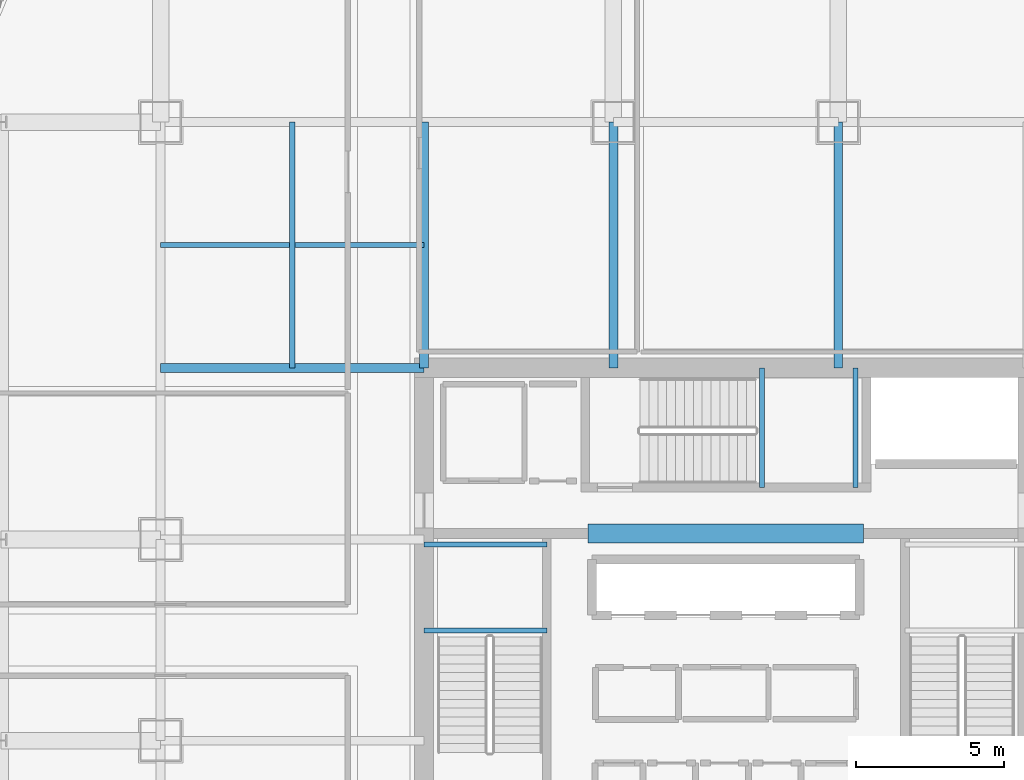
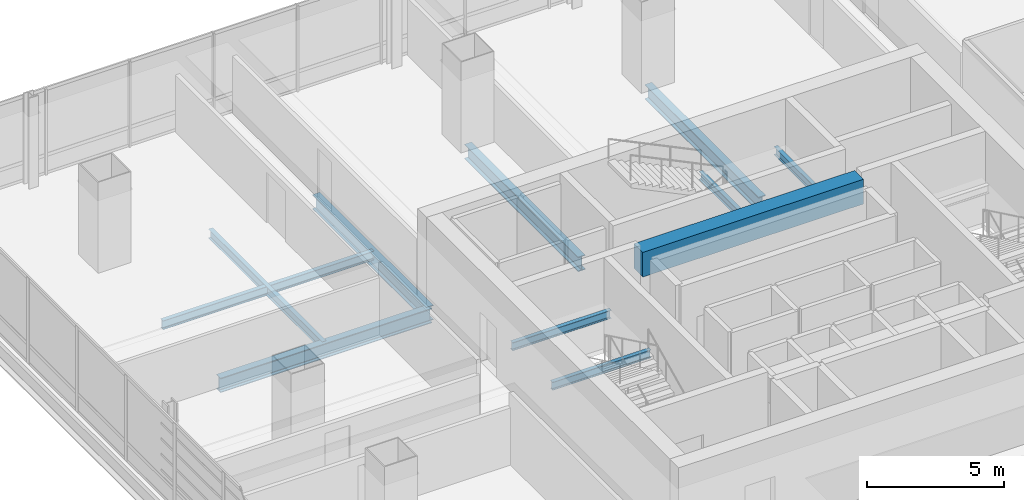
# One storey, part 13 of 38: 11 beams.
"""IFC4 building model written with IfcOpenShell, lengths in metres."""

import ifcopenshell
import ifcopenshell.guid

model = None  # the IFC model being written
_history = None  # IfcOwnerHistory: only IFC2X3 demands one
_inside = {}  # id of a spatial element -> (the spatial element, [elements in it])
_under = {}  # id of a project, library or spatial element -> (it, [spatial elements below it])
_declared = {}  # id of a project -> (the project, [libraries it declares])
_typed = {}  # id of a type object -> (the type object, [elements of that type])
_made_of = {}  # id of a material, layer set ... -> (it, [elements and type objects made of it])


def new_model(schema):
    """Start an empty IFC model of exactly this schema.

    Asked for "IFC4X3", IfcOpenShell would pick the latest addendum, in which some entities
    have other attributes; the version numbers below select the first issue.
    IFC2X3 requires an IfcOwnerHistory on every rooted entity: one is made here for all.
    """
    global model, _history
    if schema == "IFC4X3":
        model = ifcopenshell.file(schema_version=(4, 3, 0, 0))
    else:
        model = ifcopenshell.file(schema=schema)
    _inside.clear()
    _under.clear()
    _declared.clear()
    _typed.clear()
    _made_of.clear()
    _history = None
    if model.schema == "IFC2X3":
        org = make("IfcOrganization", Name="unknown")
        user = make(
            "IfcPersonAndOrganization",
            ThePerson=make("IfcPerson", FamilyName="unknown"),
            TheOrganization=org,
        )
        app = make(
            "IfcApplication",
            ApplicationDeveloper=org,
            Version="unknown",
            ApplicationFullName="unknown",
            ApplicationIdentifier="unknown",
        )
        _history = make(
            "IfcOwnerHistory",
            OwningUser=user,
            OwningApplication=app,
            ChangeAction="ADDED",
            CreationDate=0,
        )
    return model


def make(cls, **values):
    """One entity of the class cls with the attributes given. An attribute that is None is left unset."""
    return model.create_entity(
        cls, **{name: value for name, value in values.items() if value is not None}
    )


def rooted(cls, **values):
    """An entity with a GlobalId (a new one), such as an element, a storey or a relation."""
    return make(cls, GlobalId=ifcopenshell.guid.new(), OwnerHistory=_history, **values)


def si_unit(unit_type, name, prefix=None):
    """IfcSIUnit, for example si_unit("LENGTHUNIT", "METRE", prefix="MILLI")."""
    return make("IfcSIUnit", UnitType=unit_type, Prefix=prefix, Name=name)


def assignment(units):
    """IfcUnitAssignment: the units of a project."""
    return None if units is None else make("IfcUnitAssignment", Units=units)


def point(xyz):
    """IfcCartesianPoint."""
    return None if xyz is None else make("IfcCartesianPoint", Coordinates=xyz)


def direction(xyz):
    """IfcDirection."""
    return None if xyz is None else make("IfcDirection", DirectionRatios=xyz)


def frame(location, z_axis=None, x_axis=None):
    """IfcAxis2Placement3D, a coordinate frame: its origin and axes. An axis left out is left unset."""
    return make(
        "IfcAxis2Placement3D",
        Location=point(location),
        Axis=direction(z_axis),
        RefDirection=direction(x_axis),
    )


def frame_2d(location, x_axis=None):
    """IfcAxis2Placement2D, a coordinate frame in the plane: its origin and x axis."""
    return make(
        "IfcAxis2Placement2D", Location=point(location), RefDirection=direction(x_axis)
    )


def origin():
    """The frame at (0, 0, 0) with its axes left unset."""
    return frame((0.0, 0.0, 0.0))


def origin_2d():
    """The frame at (0, 0) in the plane with its x axis left unset."""
    return frame_2d((0.0, 0.0))


def place(relative_to, where):
    """IfcLocalPlacement: puts the frame where relative to a parent placement (None: the world)."""
    return make(
        "IfcLocalPlacement", PlacementRelTo=relative_to, RelativePlacement=where
    )


def context(
    kind, dimensions, precision=None, world=None, true_north=None, identifier=None
):
    """IfcGeometricRepresentationContext, for example the 3D "Model" context."""
    return make(
        "IfcGeometricRepresentationContext",
        ContextIdentifier=identifier,
        ContextType=kind,
        CoordinateSpaceDimension=dimensions,
        Precision=precision,
        WorldCoordinateSystem=world,
        TrueNorth=true_north,
    )


def subcontext(parent, identifier, kind, view, scale=None):
    """IfcGeometricRepresentationSubContext, for example "Body" below "Model"."""
    return make(
        "IfcGeometricRepresentationSubContext",
        ContextIdentifier=identifier,
        ContextType=kind,
        ParentContext=parent,
        TargetScale=scale,
        TargetView=view,
    )


def project(units=None, contexts=None):
    """IfcProject with its units and contexts."""
    return rooted(
        "IfcProject",
        Name="project",
        RepresentationContexts=contexts,
        UnitsInContext=assignment(units),
    )


def spatial(cls, under=None, at=None, **own):
    """A site, building, storey or space (cls), placed at a placement, below another one or the project."""
    s = rooted(cls, ObjectPlacement=at, **own)
    if under is not None:
        _under.setdefault(under.id(), (under, []))[1].append(s)
    return s


def profile(cls, at=None, kind="AREA", **sizes):
    """A parametric profile (cls). Its sizes go by their IFC names, for example OverallWidth=200.0."""
    return make(cls, ProfileType=kind, Position=at, **sizes)


def rectangle(**sizes):
    """IfcRectangleProfileDef."""
    return profile("IfcRectangleProfileDef", **sizes)


def i_section(**sizes):
    """IfcIShapeProfileDef."""
    return profile("IfcIShapeProfileDef", **sizes)


def extrude(swept, where, along, depth):
    """IfcExtrudedAreaSolid: the profile swept, set in the frame where, extruded along a direction by depth."""
    return make(
        "IfcExtrudedAreaSolid",
        SweptArea=swept,
        Position=where,
        ExtrudedDirection=direction(along),
        Depth=depth,
    )


def shape(context_of_items, identifier, shape_type, items):
    """IfcShapeRepresentation: the items that make up one representation, for example the "Body"."""
    return make(
        "IfcShapeRepresentation",
        ContextOfItems=context_of_items,
        RepresentationIdentifier=identifier,
        RepresentationType=shape_type,
        Items=items,
    )


def material(Name=None, Category=None):
    """IfcMaterial."""
    return make("IfcMaterial", Name=Name, Category=Category)


def material_profile(
    of_material, cross_section, Name=None, Category=None, Priority=None
):
    """IfcMaterialProfile: a cross section and its material."""
    return make(
        "IfcMaterialProfile",
        Name=Name,
        Material=of_material,
        Profile=cross_section,
        Priority=Priority,
        Category=Category,
    )


def profile_set(profiles, Name=None, composite=None):
    """IfcMaterialProfileSet."""
    return make(
        "IfcMaterialProfileSet",
        Name=Name,
        MaterialProfiles=profiles,
        CompositeProfile=composite,
    )


def made_of(thing, what):
    """Note that an element or type object is made of a material, layer set ...; save() writes the relation."""
    if what is not None:
        _made_of.setdefault(what.id(), (what, []))[1].append(thing)
    return thing


def type_object(cls, material=None, **own):
    """A type object (cls), such as IfcWallType, which elements share."""
    return made_of(rooted(cls, **own), material)


def element(
    cls,
    number,
    at=None,
    inside=None,
    cuts=None,
    type_object=None,
    material=None,
    context=None,
    identifier="Body",
    shape_type=None,
    held_by="IfcProductDefinitionShape",
    body=None,
    shapes=None,
    **own,
):
    """One element of the class cls, such as IfcWall. Its Tag is "e" and its number.

    at: its placement. inside: the storey or other place that contains it. cuts: it is an
    opening in that element (IfcRelVoidsElement). A single representation is given by context,
    identifier, shape_type and body (its items); several are given by shapes. held_by: the class
    of the entity that holds the representations. save() writes the other relations.
    """
    e = rooted(cls, Tag="e%d" % number, ObjectPlacement=at, **own)
    if body is not None:
        shapes = [shape(context, identifier, shape_type, body)]
    if shapes is not None:
        e.Representation = make(held_by, Representations=shapes)
    if inside is not None:
        _inside.setdefault(inside.id(), (inside, []))[1].append(e)
    if cuts is not None:
        rooted(
            "IfcRelVoidsElement", RelatingBuildingElement=cuts, RelatedOpeningElement=e
        )
    if type_object is not None:
        _typed.setdefault(type_object.id(), (type_object, []))[1].append(e)
    return made_of(e, material)


def aggregate(whole, parts):
    """IfcRelAggregates: a whole, such as a stair, and the parts it consists of."""
    return rooted("IfcRelAggregates", RelatingObject=whole, RelatedObjects=parts)


def save(model, path):
    """Write the relations noted so far, then the file.

    IfcRelAggregates (storeys below a building ...), IfcRelContainedInSpatialStructure (elements
    in a storey), IfcRelDefinesByType, IfcRelAssociatesMaterial and IfcRelDeclares: one each for
    every whole, place, type object, material and project.
    """
    for whole, parts in _under.values():
        aggregate(whole, parts)
    for where, things in _inside.values():
        rooted(
            "IfcRelContainedInSpatialStructure",
            RelatedElements=things,
            RelatingStructure=where,
        )
    for kind, things in _typed.values():
        rooted("IfcRelDefinesByType", RelatedObjects=things, RelatingType=kind)
    for what, things in _made_of.values():
        rooted("IfcRelAssociatesMaterial", RelatedObjects=things, RelatingMaterial=what)
    for by, libraries in _declared.values():
        rooted("IfcRelDeclares", RelatingContext=by, RelatedDefinitions=libraries)
    model.write(path)


model = new_model("IFC4")

# Units and contexts
model_context = context("Model", 3, precision=1e-05, world=origin(), true_north=direction((0.0, 1.0)))
body_context = subcontext(model_context, "Body", "Model", "MODEL_VIEW")
ifc_project = project(units=[si_unit("LENGTHUNIT", "METRE"), si_unit("AREAUNIT", "SQUARE_METRE"), si_unit("VOLUMEUNIT", "CUBIC_METRE"), si_unit("PLANEANGLEUNIT", "RADIAN"), si_unit("MASSUNIT", "GRAM", prefix="KILO")], contexts=[model_context])

# Site, building, storey
site_placement = place(None, origin())
site = spatial("IfcSite", under=ifc_project, at=site_placement, CompositionType="ELEMENT")
building_placement = place(site_placement, origin())
building = spatial("IfcBuilding", under=site, at=building_placement, Name="Punatoya Terracotta Tower", CompositionType="ELEMENT")
storey_placement = place(building_placement, frame((0.0, 0.0, 147.89990234375)))
storey = spatial("IfcBuildingStorey", under=building, at=storey_placement, Name="L34", CompositionType="ELEMENT", Elevation=147.89990234375)

# Beams
ifc_material_1 = material(Name="Steel S355", Category="steel")
ifc_material_profile_1 = material_profile(ifc_material_1, i_section(OverallWidth=0.300048828125, OverallDepth=0.64990234375, WebThickness=0.01611328125, FlangeThickness=0.031005859375, FilletRadius=0.01806640625, at=origin_2d()))
ifc_profile_set_1 = profile_set([ifc_material_profile_1], Name="Steel S355")
beam_type_1 = type_object("IfcBeamType", Name="BM-PRI-650", PredefinedType="BEAM", material=ifc_profile_set_1)
beam_1_placement = place(storey_placement, frame((-19.10009765625, 9.199951171875, -0.544921875), z_axis=(1.0, 0.0, 0.0), x_axis=(0.0, 1.0, 0.0)))
element("IfcBeam", 1, at=beam_1_placement, inside=storey, type_object=beam_type_1, Name="BM-L34-PR-WN", PredefinedType="BEAM", context=body_context, shape_type="SweptSolid", body=[
    extrude(i_section(OverallWidth=0.300048828125, OverallDepth=0.64990234375, WebThickness=0.01611328125, FlangeThickness=0.031005859375, FilletRadius=0.01806640625, at=origin_2d()), origin(), (0.0, 0.0, 1.0), 8.900146484375),
])
for number, where, z_axis, x_axis, name in (
    (2, (-10.199951171875, 9.199951171875, -0.544921875), (0.0, 1.0, 0.0), (-1.0, 0.0, 0.0), "BM-L34-PR-N1"),
    (3, (-3.800048828125, 9.199951171875, -0.544921875), (0.0, 1.0, 0.0), (-1.0, 0.0, 0.0), "BM-L34-PR-N2"),
    (4, (3.800048828125, 9.199951171875, -0.544921875), (0.0, 1.0, 0.0), (-1.0, 0.0, 0.0), "BM-L34-PR-N3"),
):
    element("IfcBeam", number, at=place(storey_placement, frame(where, z_axis=z_axis, x_axis=x_axis)), inside=storey, type_object=beam_type_1, Name=name, PredefinedType="BEAM", context=body_context, shape_type="SweptSolid", body=[
        extrude(i_section(OverallWidth=0.300048828125, OverallDepth=0.64990234375, WebThickness=0.01611328125, FlangeThickness=0.031005859375, FilletRadius=0.01806640625, at=origin_2d()), origin(), (0.0, 0.0, 1.0), 8.300048828125),
    ])
ifc_material_2 = material(Name="Concrete C60/75", Category="concrete")
ifc_material_profile_2 = material_profile(ifc_material_2, rectangle(XDim=0.64990234375, YDim=1.10009765625, at=origin_2d()))
ifc_profile_set_2 = profile_set([ifc_material_profile_2], Name="Concrete C60/75")
beam_type_2 = type_object("IfcBeamType", Name="BM-RC-1100", PredefinedType="LINTEL", material=ifc_profile_set_2)
beam_2_placement = place(storey_placement, frame((-4.64990234375, 3.60009765625, 3.280029296875), z_axis=(1.0, 0.0, 0.0), x_axis=(0.0, 1.0, 0.0)))
element("IfcBeam", 5, at=beam_2_placement, inside=storey, type_object=beam_type_2, Name="L34 Core Coupling Lintel CNW", PredefinedType="LINTEL", context=body_context, shape_type="SweptSolid", body=[
    extrude(rectangle(XDim=0.64990234375, YDim=1.10009765625, at=origin_2d()), origin(), (0.0, 0.0, 1.0), 9.2998046875),
])
ifc_material_profile_3 = material_profile(ifc_material_1, i_section(OverallWidth=0.169921875, OverallDepth=0.360107421875, WebThickness=0.008056640625, FlangeThickness=0.0126953125, FilletRadius=0.01806640625, at=origin_2d()))
ifc_profile_set_3 = profile_set([ifc_material_profile_3], Name="Steel S355")
beam_type_3 = type_object("IfcBeamType", Name="BM-SEC-360", PredefinedType="JOIST", material=ifc_profile_set_3)
for number, where, z_axis, x_axis, name in (
    (6, (-10.199951171875, 0.320068359375, 1.64501953125), (1.0, 0.0, 0.0), (0.0, 1.0, 0.0), "BM-L34-ST-1-LD1A"),
    (7, (-10.199951171875, 3.22998046875, 1.64501953125), (1.0, 0.0, 0.0), (0.0, 1.0, 0.0), "BM-L34-ST-1-LD1B"),
):
    element("IfcBeam", number, at=place(storey_placement, frame(where, z_axis=z_axis, x_axis=x_axis)), inside=storey, type_object=beam_type_3, Name=name, PredefinedType="JOIST", context=body_context, shape_type="SweptSolid", body=[
        extrude(i_section(OverallWidth=0.169921875, OverallDepth=0.360107421875, WebThickness=0.008056640625, FlangeThickness=0.0126953125, FilletRadius=0.01806640625, at=origin_2d()), origin(), (0.0, 0.0, 1.0), 4.14990234375),
    ])
for number, where, z_axis, x_axis, name in (
    (8, (1.219970703125, 5.14990234375, 1.64501953125), (0.0, 1.0, 0.0), (-1.0, 0.0, 0.0), "BM-L34-ST-3-LD1A"),
    (9, (4.3798828125, 5.14990234375, 1.64501953125), (0.0, 1.0, 0.0), (-1.0, 0.0, 0.0), "BM-L34-ST-3-LD1B"),
):
    element("IfcBeam", number, at=place(storey_placement, frame(where, z_axis=z_axis, x_axis=x_axis)), inside=storey, type_object=beam_type_3, Name=name, PredefinedType="JOIST", context=body_context, shape_type="SweptSolid", body=[
        extrude(i_section(OverallWidth=0.169921875, OverallDepth=0.360107421875, WebThickness=0.008056640625, FlangeThickness=0.0126953125, FilletRadius=0.01806640625, at=origin_2d()), origin(), (0.0, 0.0, 1.0), 4.050048828125),
    ])
ifc_material_profile_4 = material_profile(ifc_material_1, i_section(OverallWidth=0.179931640625, OverallDepth=0.39990234375, WebThickness=0.008544921875, FlangeThickness=0.013427734375, FilletRadius=0.01806640625, at=origin_2d()))
ifc_profile_set_4 = profile_set([ifc_material_profile_4], Name="Steel S355")
beam_type_4 = type_object("IfcBeamType", Name="BM-SEC-400", PredefinedType="JOIST", material=ifc_profile_set_4)
beam_3_placement = place(storey_placement, frame((-19.10009765625, 13.35009765625, -0.419921875), z_axis=(1.0, 0.0, 0.0), x_axis=(0.0, 1.0, 0.0)))
element("IfcBeam", 10, at=beam_3_placement, inside=storey, type_object=beam_type_4, Name="BM-L34-SJN-1", PredefinedType="JOIST", context=body_context, shape_type="SweptSolid", body=[
    extrude(i_section(OverallWidth=0.179931640625, OverallDepth=0.39990234375, WebThickness=0.008544921875, FlangeThickness=0.013427734375, FilletRadius=0.01806640625, at=origin_2d()), origin(), (0.0, 0.0, 1.0), 8.900146484375),
])
beam_4_placement = place(storey_placement, frame((-14.64990234375, 9.199951171875, -0.419921875), z_axis=(0.0, 1.0, 0.0), x_axis=(-1.0, 0.0, 0.0)))
element("IfcBeam", 11, at=beam_4_placement, inside=storey, type_object=beam_type_4, Name="BM-L34-SJW-2", PredefinedType="JOIST", context=body_context, shape_type="SweptSolid", body=[
    extrude(i_section(OverallWidth=0.179931640625, OverallDepth=0.39990234375, WebThickness=0.008544921875, FlangeThickness=0.013427734375, FilletRadius=0.01806640625, at=origin_2d()), origin(), (0.0, 0.0, 1.0), 8.300048828125),
])

save(model, "model.ifc")
